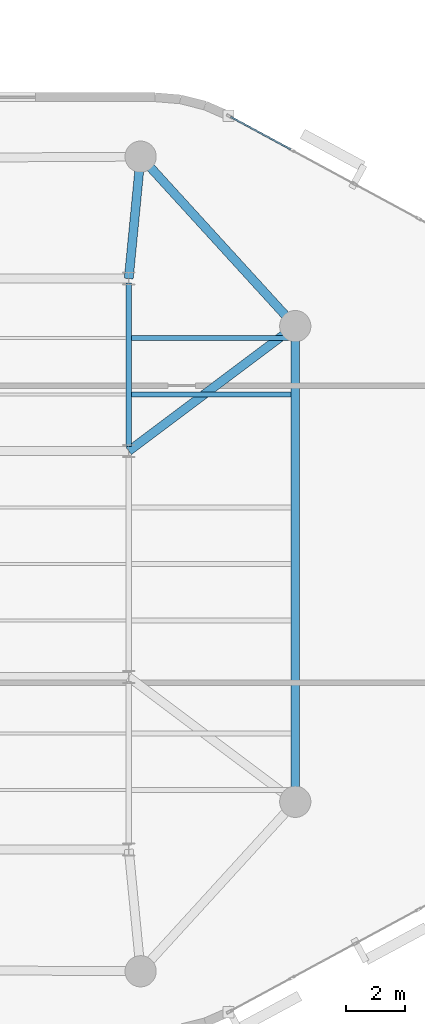
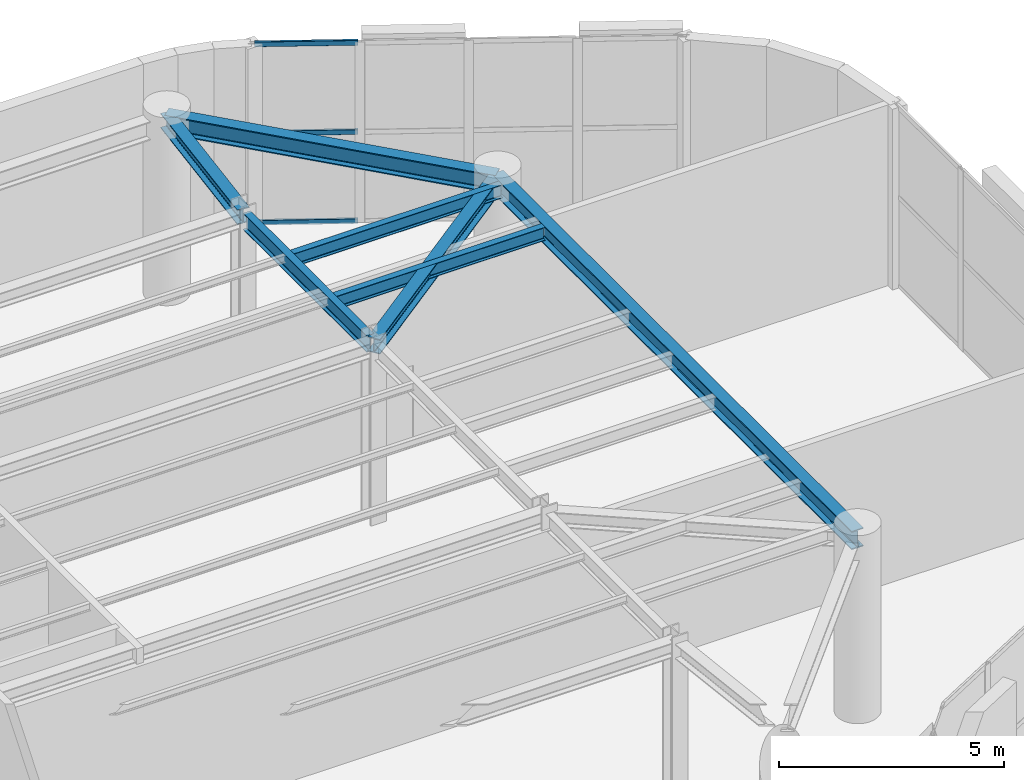
# One storey, part 4 of 11: 7 beams, 3 members, 1 element without a shape of its own.
"""IFC4 building model written with IfcOpenShell, lengths in metres."""

from ifc_helpers import new_model, si_unit, direction, frame, origin, origin_2d, place, context, subcontext, project, spatial, hollow_rectangle, i_section, extrude, material, layer, layer_set, material_profile, profile_set, type_object, element, aggregate, save


model = new_model("IFC4")

# Units and contexts
model_context = context("Model", 3, precision=1e-05, world=origin(), true_north=direction((0.0, 1.0)))
body_context = subcontext(model_context, "Body", "Model", "MODEL_VIEW")
ifc_project = project(units=[si_unit("LENGTHUNIT", "METRE"), si_unit("AREAUNIT", "SQUARE_METRE"), si_unit("VOLUMEUNIT", "CUBIC_METRE"), si_unit("PLANEANGLEUNIT", "RADIAN"), si_unit("MASSUNIT", "GRAM", prefix="KILO")], contexts=[model_context])

# Site, building, storey
site_placement = place(None, origin())
site = spatial("IfcSite", under=ifc_project, at=site_placement, CompositionType="ELEMENT")
building_placement = place(site_placement, origin())
building = spatial("IfcBuilding", under=site, at=building_placement, Name="An Khanh Terracotta Commons", CompositionType="ELEMENT")
storey_placement = place(building_placement, frame((0.0, 0.0, 196.199951171875)))
storey = spatial("IfcBuildingStorey", under=building, at=storey_placement, Name="L51", CompositionType="ELEMENT", Elevation=196.199951171875)

# Beams
ifc_material_1 = material(Name="Steel S355J2", Category="steel")
ifc_material_profile_1 = material_profile(ifc_material_1, i_section(OverallWidth=0.300048828125, OverallDepth=0.39990234375, WebThickness=0.013427734375, FlangeThickness=0.02392578125, FilletRadius=0.027099609375, at=origin_2d()), Name="HEB400")
ifc_profile_set_1 = profile_set([ifc_material_profile_1], Name="Steel S355J2")
beam_type_1 = type_object("IfcBeamType", Name="BM-HEB400", PredefinedType="BEAM", material=ifc_profile_set_1)
beam_1_placement = place(storey_placement, frame((59.60009765625, 32.0, 4.699951171875), z_axis=(-0.800008370399, -0.599988839305, 0.0), x_axis=(0.599988839305, -0.800008370399, 0.0)))
element("IfcBeam", 1, at=beam_1_placement, inside=storey, type_object=beam_type_1, Name="L51 Mega-Column Tie Girder 4", PredefinedType="BEAM", context=body_context, shape_type="SweptSolid", body=[
    extrude(i_section(OverallWidth=0.300048828125, OverallDepth=0.39990234375, WebThickness=0.013427734375, FlangeThickness=0.02392578125, FilletRadius=0.027099609375, at=origin_2d()), origin(), (0.0, 0.0, 1.0), 7.0),
])
beam_2_placement = place(storey_placement, frame((54.39990234375, 37.699951171875, 4.699951171875), z_axis=(-0.097079917443, -0.995276589511, 0.0), x_axis=(0.995276589511, -0.097079917443, 0.0)))
element("IfcBeam", 2, at=beam_2_placement, inside=storey, type_object=beam_type_1, Name="L51 Mega-Column Tie Girder 5", PredefinedType="BEAM", context=body_context, shape_type="SweptSolid", body=[
    extrude(i_section(OverallWidth=0.300048828125, OverallDepth=0.39990234375, WebThickness=0.013427734375, FlangeThickness=0.02392578125, FilletRadius=0.027099609375, at=origin_2d()), origin(), (0.0, 0.0, 1.0), 4.119384765625),
])
ifc_material_profile_2 = material_profile(ifc_material_1, i_section(OverallWidth=0.300048828125, OverallDepth=0.5, WebThickness=0.014404296875, FlangeThickness=0.028076171875, FilletRadius=0.027099609375, at=origin_2d()), Name="HEB500")
ifc_profile_set_2 = profile_set([ifc_material_profile_2], Name="Steel S355J2")
beam_type_2 = type_object("IfcBeamType", Name="BM-HEB500", PredefinedType="BEAM", material=ifc_profile_set_2)
beam_3_placement = place(storey_placement, frame((59.60009765625, 16.0, 4.650146484375), z_axis=(0.0, 1.0, 0.0), x_axis=(-1.0, 0.0, 0.0)))
element("IfcBeam", 3, at=beam_3_placement, inside=storey, type_object=beam_type_2, Name="L51 Perimeter Ring Spandrel 3", PredefinedType="BEAM", context=body_context, shape_type="SweptSolid", body=[
    extrude(i_section(OverallWidth=0.300048828125, OverallDepth=0.5, WebThickness=0.014404296875, FlangeThickness=0.028076171875, FilletRadius=0.027099609375, at=origin_2d()), origin(), (0.0, 0.0, 1.0), 16.0),
])
beam_4_placement = place(storey_placement, frame((59.60009765625, 32.0, 4.650146484375), z_axis=(-0.673978953902, 0.738750546326, 0.0), x_axis=(-0.738750546326, -0.673978953902, 0.0)))
element("IfcBeam", 4, at=beam_4_placement, inside=storey, type_object=beam_type_2, Name="L51 Perimeter Ring Spandrel 4", PredefinedType="BEAM", context=body_context, shape_type="SweptSolid", body=[
    extrude(i_section(OverallWidth=0.300048828125, OverallDepth=0.5, WebThickness=0.014404296875, FlangeThickness=0.028076171875, FilletRadius=0.027099609375, at=origin_2d()), origin(), (0.0, 0.0, 1.0), 7.715576171875),
])
ifc_material_profile_3 = material_profile(ifc_material_1, i_section(OverallWidth=0.169921875, OverallDepth=0.360107421875, WebThickness=0.008056640625, FlangeThickness=0.0126953125, FilletRadius=0.01806640625, at=origin_2d()), Name="IPE360")
ifc_profile_set_3 = profile_set([ifc_material_profile_3], Name="Steel S355J2")
beam_type_3 = type_object("IfcBeamType", Name="BM-IPE360", PredefinedType="JOIST", material=ifc_profile_set_3)
for number, where, z_axis, x_axis, name in (
    (5, (54.094970703125, 29.699951171875, 4.719970703125), (1.0, 0.0, 0.0), (0.0, 1.0, 0.0), "L51 Riverfront Composite Joist 6"),
    (6, (54.094970703125, 31.60009765625, 4.719970703125), (1.0, 0.0, 0.0), (0.0, 1.0, 0.0), "L51 Riverfront Composite Joist 7"),
):
    element("IfcBeam", number, at=place(storey_placement, frame(where, z_axis=z_axis, x_axis=x_axis)), inside=storey, type_object=beam_type_3, Name=name, PredefinedType="JOIST", context=body_context, shape_type="SweptSolid", body=[
        extrude(i_section(OverallWidth=0.169921875, OverallDepth=0.360107421875, WebThickness=0.008056640625, FlangeThickness=0.0126953125, FilletRadius=0.01806640625, at=origin_2d()), origin(), (0.0, 0.0, 1.0), 5.35498046875),
    ])
ifc_material_profile_4 = material_profile(ifc_material_1, i_section(OverallWidth=0.18994140625, OverallDepth=0.449951171875, WebThickness=0.009521484375, FlangeThickness=0.0146484375, FilletRadius=0.02099609375, at=origin_2d()), Name="IPE450")
ifc_profile_set_4 = profile_set([ifc_material_profile_4], Name="Steel S355J2")
beam_type_4 = type_object("IfcBeamType", Name="BM-IPE450", PredefinedType="JOIST", material=ifc_profile_set_4)
beam_5_placement = place(storey_placement, frame((54.0, 27.949951171875, 4.675048828125), z_axis=(0.0, 1.0, 0.0), x_axis=(-1.0, 0.0, 0.0)))
element("IfcBeam", 7, at=beam_5_placement, inside=storey, type_object=beam_type_4, Name="L51 East Spine Girder 3", PredefinedType="JOIST", context=body_context, shape_type="SweptSolid", body=[
    extrude(i_section(OverallWidth=0.18994140625, OverallDepth=0.449951171875, WebThickness=0.009521484375, FlangeThickness=0.0146484375, FilletRadius=0.02099609375, at=origin_2d()), origin(), (0.0, 0.0, 1.0), 5.5),
])

# Curtain wall, members
ifc_material_2 = material(Name="Anodised Aluminium 6063-T6", Category="aluminium")
ifc_layer = layer(ifc_material_2, 0.239990234375, Name="Anodised Aluminium 6063-T6")
ifc_layer_set = layer_set([ifc_layer], Name="Anodised Aluminium 6063-T6")
curtain_wall_type = type_object("IfcCurtainWallType", Name="CW-SYS-04", PredefinedType="USERDEFINED", material=ifc_layer_set)
curtain_wall_placement = place(storey_placement, origin())
curtain_wall = element("IfcCurtainWall", 8, at=curtain_wall_placement, inside=storey, type_object=curtain_wall_type, Name="L51 CW-04 Unitised Curtain Wall CW-L51-16", ObjectType="UNITISED CURTAIN WALL", PredefinedType="USERDEFINED")
ifc_material_profile_5 = material_profile(ifc_material_2, hollow_rectangle(XDim=0.06005859375, YDim=0.135009765625, WallThickness=0.003662109375, InnerFilletRadius=0.003662109375, OuterFilletRadius=0.007080078125, at=origin_2d()), Name="RHS135x60x3.6")
ifc_profile_set_5 = profile_set([ifc_material_profile_5], Name="Anodised Aluminium 6063-T6")
member_type = type_object("IfcMemberType", Name="CWT-RHS135x60x3.6", PredefinedType="USERDEFINED", material=ifc_profile_set_5)
member_1_placement = place(storey_placement, frame((59.450439453125, 37.94384765625, 0.030029296875), z_axis=(-0.879791730028, 0.475359350149, 0.0), x_axis=(-0.475359350149, -0.879791730028, 0.0)))
member_1 = element("IfcMember", 9, at=member_1_placement, type_object=member_type, Name="CW-04 transom 4.1", ObjectType="TRANSOM", PredefinedType="USERDEFINED", context=body_context, shape_type="SweptSolid", body=[
    extrude(hollow_rectangle(XDim=0.06005859375, YDim=0.135009765625, WallThickness=0.003662109375, InnerFilletRadius=0.003662109375, OuterFilletRadius=0.007080078125, at=origin_2d()), origin(), (0.0, 0.0, 1.0), 2.29931640625),
])
member_2_placement = place(storey_placement, frame((59.450439453125, 37.94384765625, 2.449951171875), z_axis=(-0.879791730028, 0.475359350149, 0.0), x_axis=(-0.475359350149, -0.879791730028, 0.0)))
member_2 = element("IfcMember", 10, at=member_2_placement, type_object=member_type, Name="CW-04 transom 4.2", ObjectType="TRANSOM", PredefinedType="USERDEFINED", context=body_context, shape_type="SweptSolid", body=[
    extrude(hollow_rectangle(XDim=0.06005859375, YDim=0.135009765625, WallThickness=0.003662109375, InnerFilletRadius=0.003662109375, OuterFilletRadius=0.007080078125, at=origin_2d()), origin(), (0.0, 0.0, 1.0), 2.29931640625),
])
member_3_placement = place(storey_placement, frame((59.450439453125, 37.94384765625, 4.8701171875), z_axis=(-0.879791730028, 0.475359350149, 0.0), x_axis=(-0.475359350149, -0.879791730028, 0.0)))
member_3 = element("IfcMember", 11, at=member_3_placement, type_object=member_type, Name="CW-04 transom 4.3", ObjectType="TRANSOM", PredefinedType="USERDEFINED", context=body_context, shape_type="SweptSolid", body=[
    extrude(hollow_rectangle(XDim=0.06005859375, YDim=0.135009765625, WallThickness=0.003662109375, InnerFilletRadius=0.003662109375, OuterFilletRadius=0.007080078125, at=origin_2d()), origin(), (0.0, 0.0, 1.0), 2.29931640625),
])
aggregate(curtain_wall, [member_1, member_2, member_3])

save(model, "model.ifc")
